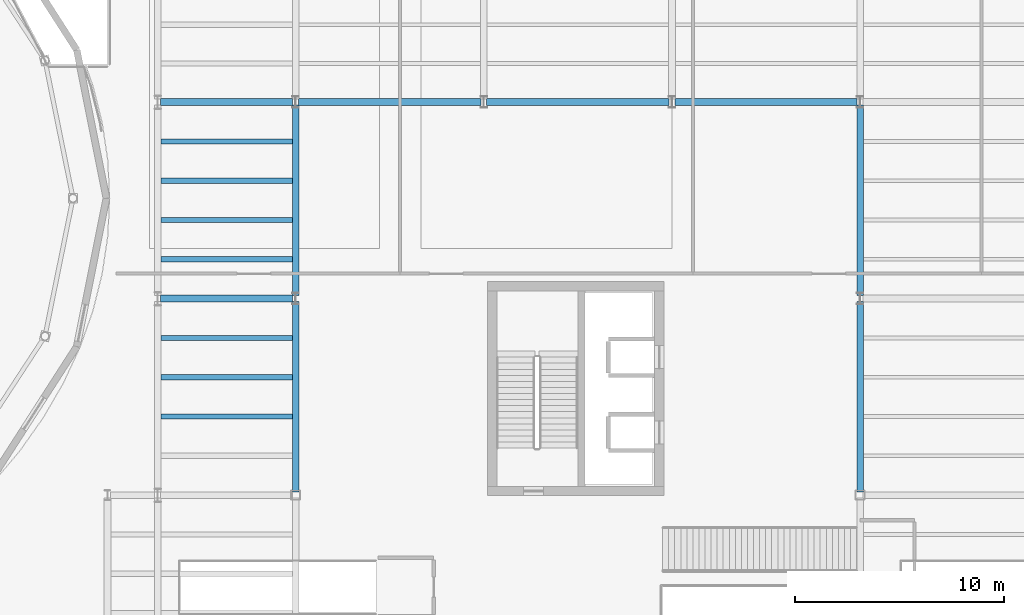
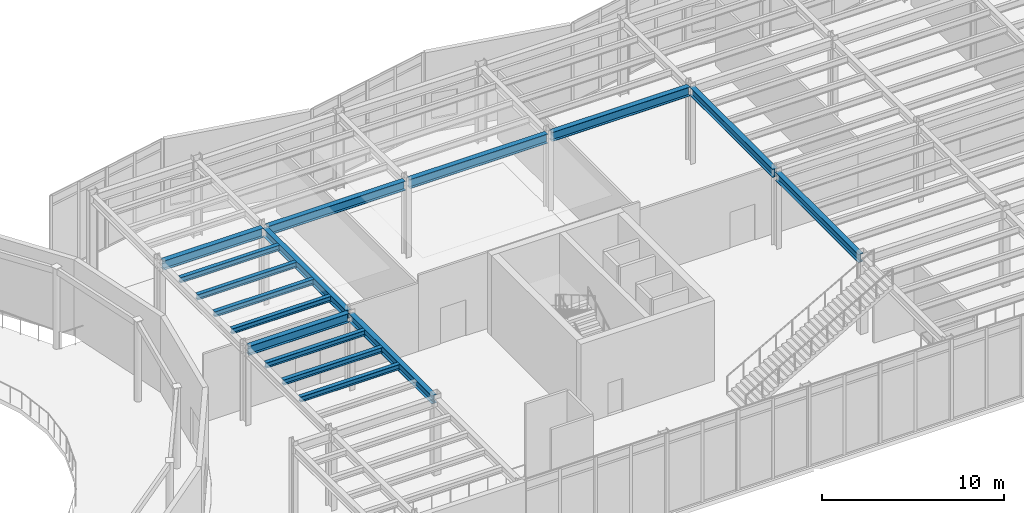
# One storey, part 57 of 98: 16 beams.
"""IFC4 building model written with IfcOpenShell, lengths in metres."""

from ifc_helpers import new_model, si_unit, direction, frame, origin, origin_2d, place, context, subcontext, project, spatial, i_section, extrude, material, material_profile, profile_set, type_object, element, save


model = new_model("IFC4")

# Units and contexts
model_context = context("Model", 3, precision=1e-05, world=origin(), true_north=direction((0.0, 1.0)))
body_context = subcontext(model_context, "Body", "Model", "MODEL_VIEW")
ifc_project = project(units=[si_unit("LENGTHUNIT", "METRE"), si_unit("AREAUNIT", "SQUARE_METRE"), si_unit("VOLUMEUNIT", "CUBIC_METRE"), si_unit("PLANEANGLEUNIT", "RADIAN"), si_unit("MASSUNIT", "GRAM", prefix="KILO")], contexts=[model_context])

# Site, building, storey
site_placement = place(None, origin())
site = spatial("IfcSite", under=ifc_project, at=site_placement, CompositionType="ELEMENT")
building_placement = place(site_placement, origin())
building = spatial("IfcBuilding", under=site, at=building_placement, Name="Sollismere Congress Hotel", CompositionType="ELEMENT")
storey_placement = place(building_placement, frame((0.0, 0.0, 5.39990234375)))
storey = spatial("IfcBuildingStorey", under=building, at=storey_placement, Name="L01", CompositionType="ELEMENT", Elevation=5.39990234375)

# Beams
ifc_material = material(Name="Steel ASTM A992 Grade 50", Category="steel")
ifc_material_profile_1 = material_profile(ifc_material, i_section(OverallWidth=0.31494140625, OverallDepth=0.551025390625, WebThickness=0.01513671875, FlangeThickness=0.0244140625, at=origin_2d()), Name="W21X122")
ifc_profile_set_1 = profile_set([ifc_material_profile_1], Name="Steel ASTM A992 Grade 50")
beam_type_1 = type_object("IfcBeamType", Name="BM-G21H", PredefinedType="BEAM", material=ifc_profile_set_1)
beam_1_placement = place(storey_placement, frame((67.0, 76.340087890625, 4.844482421875), z_axis=(0.0, 1.0, 0.0), x_axis=(-1.0, 0.0, 0.0)))
element("IfcBeam", 1, at=beam_1_placement, inside=storey, type_object=beam_type_1, Name="Beam BM-L01-1660", PredefinedType="BEAM", context=body_context, shape_type="SweptSolid", body=[
    extrude(i_section(OverallWidth=0.31494140625, OverallDepth=0.551025390625, WebThickness=0.01513671875, FlangeThickness=0.0244140625, at=origin_2d()), origin(), (0.0, 0.0, 1.0), 9.119873046875),
])
beam_2_placement = place(storey_placement, frame((67.0, 85.739990234375, 4.844482421875), z_axis=(0.0, 1.0, 0.0), x_axis=(-1.0, 0.0, 0.0)))
element("IfcBeam", 2, at=beam_2_placement, inside=storey, type_object=beam_type_1, Name="Beam BM-L01-1661", PredefinedType="BEAM", context=body_context, shape_type="SweptSolid", body=[
    extrude(i_section(OverallWidth=0.31494140625, OverallDepth=0.551025390625, WebThickness=0.01513671875, FlangeThickness=0.0244140625, at=origin_2d()), origin(), (0.0, 0.0, 1.0), 9.1201171875),
])
beam_3_placement = place(storey_placement, frame((94.0, 76.340087890625, 4.844482421875), z_axis=(0.0, 1.0, 0.0), x_axis=(-1.0, 0.0, 0.0)))
element("IfcBeam", 3, at=beam_3_placement, inside=storey, type_object=beam_type_1, Name="Beam BM-L01-1671", PredefinedType="BEAM", context=body_context, shape_type="SweptSolid", body=[
    extrude(i_section(OverallWidth=0.31494140625, OverallDepth=0.551025390625, WebThickness=0.01513671875, FlangeThickness=0.0244140625, at=origin_2d()), origin(), (0.0, 0.0, 1.0), 9.119873046875),
])
beam_4_placement = place(storey_placement, frame((94.0, 85.739990234375, 4.844482421875), z_axis=(0.0, 1.0, 0.0), x_axis=(-1.0, 0.0, 0.0)))
element("IfcBeam", 4, at=beam_4_placement, inside=storey, type_object=beam_type_1, Name="Beam BM-L01-1672", PredefinedType="BEAM", context=body_context, shape_type="SweptSolid", body=[
    extrude(i_section(OverallWidth=0.31494140625, OverallDepth=0.551025390625, WebThickness=0.01513671875, FlangeThickness=0.0244140625, at=origin_2d()), origin(), (0.0, 0.0, 1.0), 9.1201171875),
])
ifc_material_profile_2 = material_profile(ifc_material, i_section(OverallWidth=0.324951171875, OverallDepth=0.612060546875, WebThickness=0.0126953125, FlangeThickness=0.01904296875, at=origin_2d()), Name="W24X104")
ifc_profile_set_2 = profile_set([ifc_material_profile_2], Name="Steel ASTM A992 Grade 50")
beam_type_2 = type_object("IfcBeamType", Name="BM-G24", PredefinedType="BEAM", material=ifc_profile_set_2)
for number, where, z_axis, x_axis, name in (
    (5, (60.5400390625, 85.60009765625, 4.814208984375), (1.0, 0.0, 0.0), (0.0, 1.0, 0.0), "Beam BM-L01-1605"),
    (6, (60.5400390625, 95.0, 4.814208984375), (1.0, 0.0, 0.0), (0.0, 1.0, 0.0), "Beam BM-L01-1609"),
):
    element("IfcBeam", number, at=place(storey_placement, frame(where, z_axis=z_axis, x_axis=x_axis)), inside=storey, type_object=beam_type_2, Name=name, PredefinedType="BEAM", context=body_context, shape_type="SweptSolid", body=[
        extrude(i_section(OverallWidth=0.324951171875, OverallDepth=0.612060546875, WebThickness=0.0126953125, FlangeThickness=0.01904296875, at=origin_2d()), origin(), (0.0, 0.0, 1.0), 6.320068359375),
    ])
for number, where, z_axis, x_axis, name in (
    (7, (67.139892578125, 95.0, 4.814208984375), (1.0, 0.0, 0.0), (0.0, 1.0, 0.0), "Beam BM-L01-1610"),
    (8, (76.139892578125, 95.0, 4.814208984375), (1.0, 0.0, 0.0), (0.0, 1.0, 0.0), "Beam BM-L01-1611"),
    (9, (85.139892578125, 95.0, 4.814208984375), (1.0, 0.0, 0.0), (0.0, 1.0, 0.0), "Beam BM-L01-1612"),
):
    element("IfcBeam", number, at=place(storey_placement, frame(where, z_axis=z_axis, x_axis=x_axis)), inside=storey, type_object=beam_type_2, Name=name, PredefinedType="BEAM", context=body_context, shape_type="SweptSolid", body=[
        extrude(i_section(OverallWidth=0.324951171875, OverallDepth=0.612060546875, WebThickness=0.0126953125, FlangeThickness=0.01904296875, at=origin_2d()), origin(), (0.0, 0.0, 1.0), 8.72021484375),
    ])
ifc_material_profile_3 = material_profile(ifc_material, i_section(OverallWidth=0.25390625, OverallDepth=0.35595703125, WebThickness=0.010498046875, FlangeThickness=0.018310546875, at=origin_2d()), Name="W14X68")
ifc_profile_set_3 = profile_set([ifc_material_profile_3], Name="Steel ASTM A992 Grade 50")
beam_type_3 = type_object("IfcBeamType", Name="BM-J14", PredefinedType="JOIST", material=ifc_profile_set_3)
for number, where, z_axis, x_axis, name in (
    (10, (60.5576171875, 79.9599609375, 4.942138671875), (1.0, 0.0, 0.0), (0.0, 1.0, 0.0), "Beam BM-L01-1784"),
    (11, (60.5576171875, 81.840087890625, 4.942138671875), (1.0, 0.0, 0.0), (0.0, 1.0, 0.0), "Beam BM-L01-1785"),
    (12, (60.5576171875, 83.719970703125, 4.942138671875), (1.0, 0.0, 0.0), (0.0, 1.0, 0.0), "Beam BM-L01-1786"),
    (13, (60.5576171875, 87.47998046875, 4.942138671875), (1.0, 0.0, 0.0), (0.0, 1.0, 0.0), "Beam BM-L01-1787"),
    (14, (60.5576171875, 89.360107421875, 4.942138671875), (1.0, 0.0, 0.0), (0.0, 1.0, 0.0), "Beam BM-L01-1788"),
    (15, (60.5576171875, 91.239990234375, 4.942138671875), (1.0, 0.0, 0.0), (0.0, 1.0, 0.0), "Beam BM-L01-1789"),
    (16, (60.5576171875, 93.1201171875, 4.942138671875), (1.0, 0.0, 0.0), (0.0, 1.0, 0.0), "Beam BM-L01-1790"),
):
    element("IfcBeam", number, at=place(storey_placement, frame(where, z_axis=z_axis, x_axis=x_axis)), inside=storey, type_object=beam_type_3, Name=name, PredefinedType="JOIST", context=body_context, shape_type="SweptSolid", body=[
        extrude(i_section(OverallWidth=0.25390625, OverallDepth=0.35595703125, WebThickness=0.010498046875, FlangeThickness=0.018310546875, at=origin_2d()), origin(), (0.0, 0.0, 1.0), 6.284912109375),
    ])

save(model, "model.ifc")
